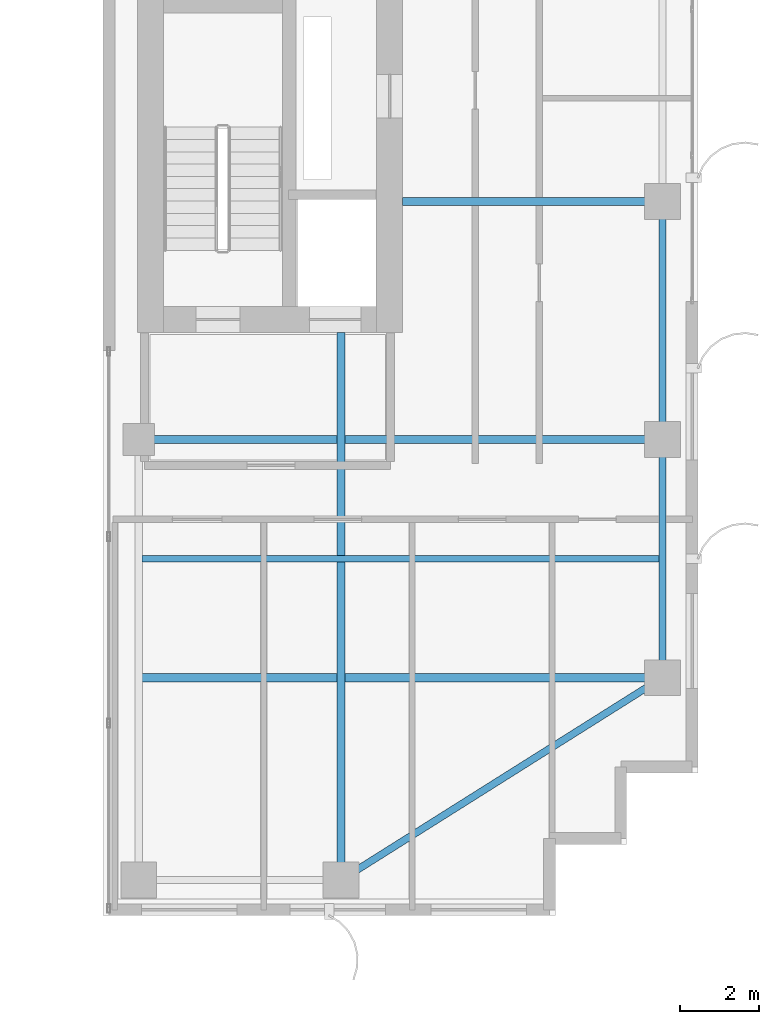
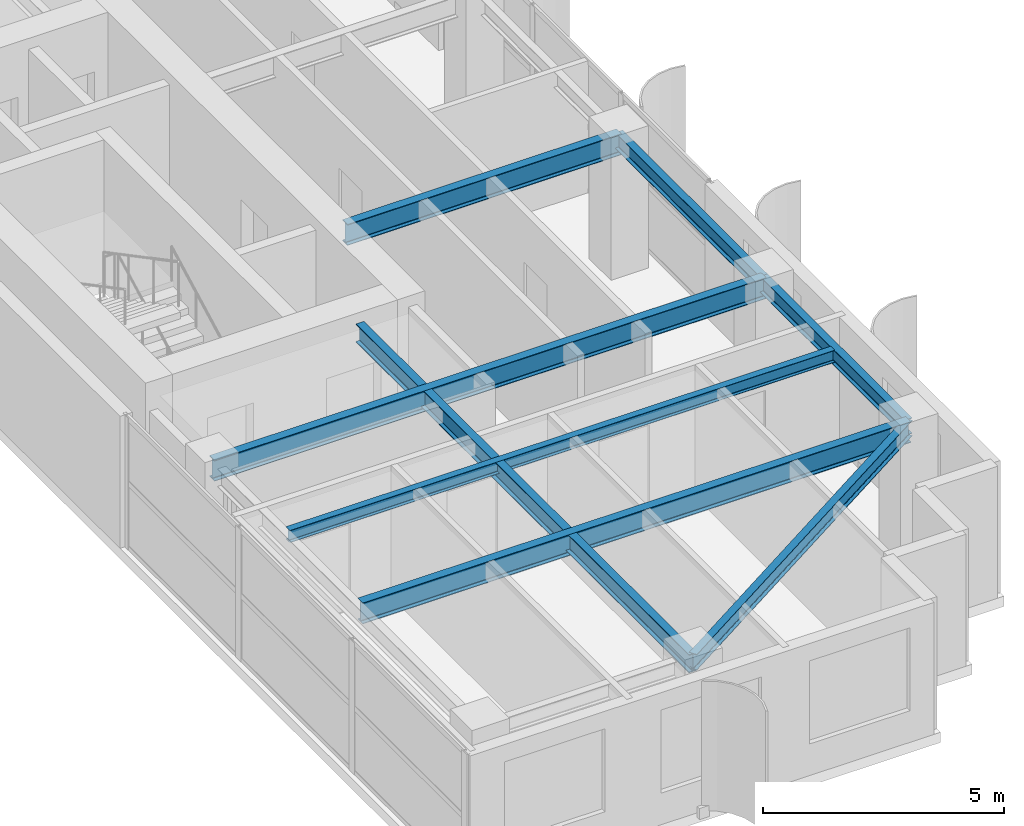
# One storey, part 10 of 22: 8 beams.
"""IFC4 building model written with IfcOpenShell, lengths in metres."""

from ifc_helpers import new_model, si_unit, direction, frame, origin, origin_2d, place, context, subcontext, project, spatial, i_section, extrude, source, transform, mapped, material, material_profile, profile_set, type_object, element, save


model = new_model("IFC4")

# Units and contexts
model_context = context("Model", 3, precision=1e-05, world=origin(), true_north=direction((0.0, 1.0)))
body_context = subcontext(model_context, "Body", "Model", "MODEL_VIEW")
ifc_project = project(units=[si_unit("LENGTHUNIT", "METRE"), si_unit("AREAUNIT", "SQUARE_METRE"), si_unit("VOLUMEUNIT", "CUBIC_METRE"), si_unit("PLANEANGLEUNIT", "RADIAN"), si_unit("MASSUNIT", "GRAM", prefix="KILO")], contexts=[model_context])

# Site, building, storey
site_placement = place(None, origin())
site = spatial("IfcSite", under=ifc_project, at=site_placement, CompositionType="ELEMENT")
building_placement = place(site_placement, origin())
building = spatial("IfcBuilding", under=site, at=building_placement, Name="Khoralis Quay Care Tower", CompositionType="ELEMENT")
storey_placement = place(building_placement, frame((0.0, 0.0, 195.300048828125)))
storey = spatial("IfcBuildingStorey", under=building, at=storey_placement, Name="L51", CompositionType="ELEMENT", Elevation=195.300048828125)

# Beams
ifc_material = material(Name="Steel S355", Category="steel")
ifc_material_profile_1 = material_profile(ifc_material, i_section(OverallWidth=0.179931640625, OverallDepth=0.39990234375, WebThickness=0.008544921875, FlangeThickness=0.013427734375, FilletRadius=0.02099609375, at=origin_2d()), Name="Steel S355")
ifc_profile_set_1 = profile_set([ifc_material_profile_1], Name="Steel S355")
beam_type_1 = type_object("IfcBeamType", Name="BM-IPE400", PredefinedType="SPANDREL", material=ifc_profile_set_1)
shared_shape_1 = source(origin(), body_context, "Body", "SweptSolid", [
    extrude(i_section(OverallWidth=0.179931640625, OverallDepth=0.39990234375, WebThickness=0.008544921875, FlangeThickness=0.013427734375, FilletRadius=0.02099609375, at=origin_2d()), origin(), (0.0, 0.0, 1.0), 6.0),
])
for number, where, z_axis, x_axis, name in (
    (1, (44.10009765625, 6.0, 3.139892578125), (0.0, 1.0, 0.0), (-1.0, 0.0, 0.0), "BM-TSP-L51-10"),
    (2, (44.10009765625, 12.0, 3.139892578125), (0.0, 1.0, 0.0), (-1.0, 0.0, 0.0), "BM-TSP-L51-11"),
):
    element("IfcBeam", number, at=place(storey_placement, frame(where, z_axis=z_axis, x_axis=x_axis)), inside=storey, type_object=beam_type_1, Name=name, PredefinedType="SPANDREL", context=body_context, shape_type="MappedRepresentation", body=[
        mapped(shared_shape_1, transform((0.0, 0.0, 0.0), scale=1.0)),
    ])
shared_shape_2 = source(origin(), body_context, "Body", "SweptSolid", [
    extrude(i_section(OverallWidth=0.179931640625, OverallDepth=0.39990234375, WebThickness=0.008544921875, FlangeThickness=0.013427734375, FilletRadius=0.02099609375, at=origin_2d()), origin(), (0.0, 0.0, 1.0), 9.572021484375),
])
beam_1_placement = place(storey_placement, frame((36.0, 0.89990234375, 3.139892578125), z_axis=(0.846231136359, 0.532815975602, 0.0), x_axis=(-0.532815975602, 0.846231136359, 0.0)))
element("IfcBeam", 3, at=beam_1_placement, inside=storey, type_object=beam_type_1, Name="BM-TCR-L51-16", PredefinedType="SPANDREL", context=body_context, shape_type="MappedRepresentation", body=[
    mapped(shared_shape_2, transform((0.0, 0.0, 0.0), scale=1.0)),
])
ifc_material_profile_2 = material_profile(ifc_material, i_section(OverallWidth=0.208984375, OverallDepth=0.532958984375, WebThickness=0.01025390625, FlangeThickness=0.015625, FilletRadius=0.01611328125, at=origin_2d()), Name="Steel S355")
ifc_profile_set_2 = profile_set([ifc_material_profile_2], Name="Steel S355")
beam_type_2 = type_object("IfcBeamType", Name="BM-W530X92", PredefinedType="BEAM", material=ifc_profile_set_2)
shared_shape_3 = source(origin(), body_context, "Body", "SweptSolid", [
    extrude(i_section(OverallWidth=0.208984375, OverallDepth=0.532958984375, WebThickness=0.01025390625, FlangeThickness=0.015625, FilletRadius=0.01611328125, at=origin_2d()), origin(), (0.0, 0.0, 1.0), 13.1162109375),
])
beam_2_placement = place(storey_placement, frame((30.98388671875, 6.0, 3.073486328125), z_axis=(1.0, 0.0, 0.0), x_axis=(0.0, 1.0, 0.0)))
element("IfcBeam", 4, at=beam_2_placement, inside=storey, type_object=beam_type_2, Name="BM-TGXE-L51-60", PredefinedType="BEAM", context=body_context, shape_type="MappedRepresentation", body=[
    mapped(shared_shape_3, transform((0.0, 0.0, 0.0), scale=1.0)),
])
shared_shape_4 = source(origin(), body_context, "Body", "SweptSolid", [
    extrude(i_section(OverallWidth=0.208984375, OverallDepth=0.532958984375, WebThickness=0.01025390625, FlangeThickness=0.015625, FilletRadius=0.01611328125, at=origin_2d()), origin(), (0.0, 0.0, 1.0), 13.2001953125),
])
beam_3_placement = place(storey_placement, frame((30.89990234375, 12.0, 3.073486328125), z_axis=(1.0, 0.0, 0.0), x_axis=(0.0, 1.0, 0.0)))
element("IfcBeam", 5, at=beam_3_placement, inside=storey, type_object=beam_type_2, Name="BM-TGXE-L51-120", PredefinedType="BEAM", context=body_context, shape_type="MappedRepresentation", body=[
    mapped(shared_shape_4, transform((0.0, 0.0, 0.0), scale=1.0)),
])
shared_shape_5 = source(origin(), body_context, "Body", "SweptSolid", [
    extrude(i_section(OverallWidth=0.208984375, OverallDepth=0.532958984375, WebThickness=0.01025390625, FlangeThickness=0.015625, FilletRadius=0.01611328125, at=origin_2d()), origin(), (0.0, 0.0, 1.0), 6.552001953125),
])
beam_4_placement = place(storey_placement, frame((37.548095703125, 18.0, 3.073486328125), z_axis=(1.0, 0.0, 0.0), x_axis=(0.0, 1.0, 0.0)))
element("IfcBeam", 6, at=beam_4_placement, inside=storey, type_object=beam_type_2, Name="BM-TGXE-L51-180", PredefinedType="BEAM", context=body_context, shape_type="MappedRepresentation", body=[
    mapped(shared_shape_5, transform((0.0, 0.0, 0.0), scale=1.0)),
])
ifc_material_profile_3 = material_profile(ifc_material, i_section(OverallWidth=0.19189453125, OverallDepth=0.462890625, WebThickness=0.010498046875, FlangeThickness=0.017578125, FilletRadius=0.014892578125, at=origin_2d()), Name="Steel S355")
ifc_profile_set_3 = profile_set([ifc_material_profile_3], Name="Steel S355")
beam_type_3 = type_object("IfcBeamType", Name="BM-W460X89", PredefinedType="BEAM", material=ifc_profile_set_3)
shared_shape_6 = source(origin(), body_context, "Body", "SweptSolid", [
    extrude(i_section(OverallWidth=0.19189453125, OverallDepth=0.462890625, WebThickness=0.010498046875, FlangeThickness=0.017578125, FilletRadius=0.014892578125, at=origin_2d()), origin(), (0.0, 0.0, 1.0), 13.802001953125),
])
beam_5_placement = place(storey_placement, frame((36.0, 0.89990234375, 3.1083984375), z_axis=(0.0, 1.0, 0.0), x_axis=(-1.0, 0.0, 0.0)))
element("IfcBeam", 7, at=beam_5_placement, inside=storey, type_object=beam_type_3, Name="BM-TGYS-L51-360", PredefinedType="BEAM", context=body_context, shape_type="MappedRepresentation", body=[
    mapped(shared_shape_6, transform((0.0, 0.0, 0.0), scale=1.0)),
])
ifc_material_profile_4 = material_profile(ifc_material, i_section(OverallWidth=0.1650390625, OverallDepth=0.31005859375, WebThickness=0.005859375, FlangeThickness=0.009765625, FilletRadius=0.011962890625, at=origin_2d()), Name="Steel S355")
ifc_profile_set_4 = profile_set([ifc_material_profile_4], Name="Steel S355")
beam_type_4 = type_object("IfcBeamType", Name="BM-W310X39", PredefinedType="JOIST", material=ifc_profile_set_4)
shared_shape_7 = source(origin(), body_context, "Body", "SweptSolid", [
    extrude(i_section(OverallWidth=0.1650390625, OverallDepth=0.31005859375, WebThickness=0.005859375, FlangeThickness=0.009765625, FilletRadius=0.011962890625, at=origin_2d()), origin(), (0.0, 0.0, 1.0), 13.0400390625),
])
beam_6_placement = place(storey_placement, frame((30.98388671875, 9.0, 3.18505859375), z_axis=(1.0, 0.0, 0.0), x_axis=(0.0, 1.0, 0.0)))
element("IfcBeam", 8, at=beam_6_placement, inside=storey, type_object=beam_type_4, Name="BM-TJS-L51-20", PredefinedType="JOIST", context=body_context, shape_type="MappedRepresentation", body=[
    mapped(shared_shape_7, transform((0.0, 0.0, 0.0), scale=1.0)),
])

save(model, "model.ifc")
